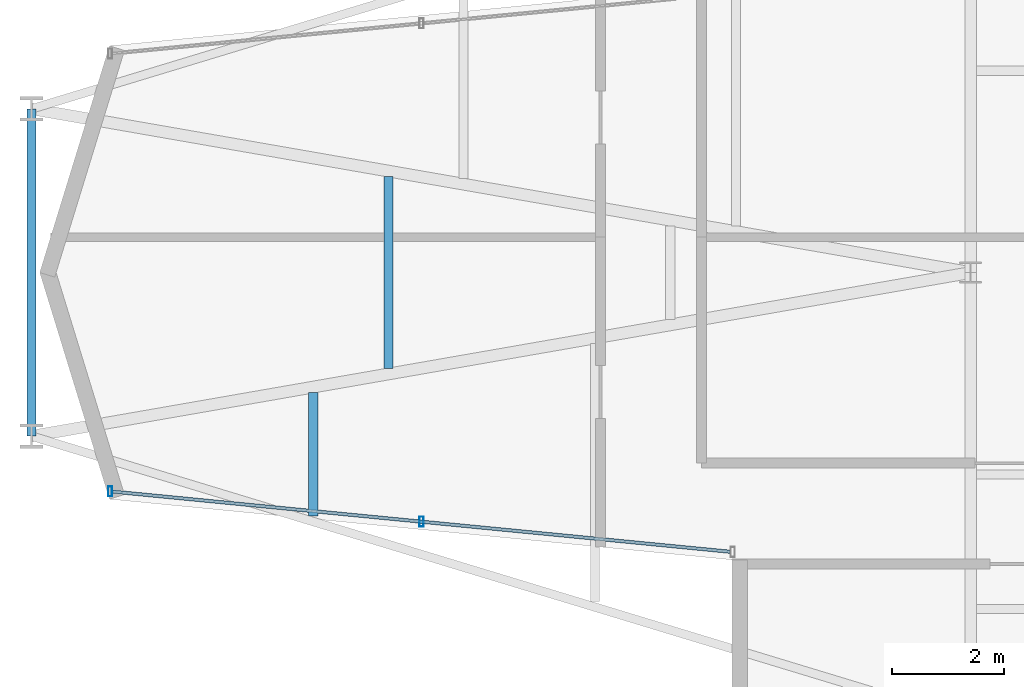
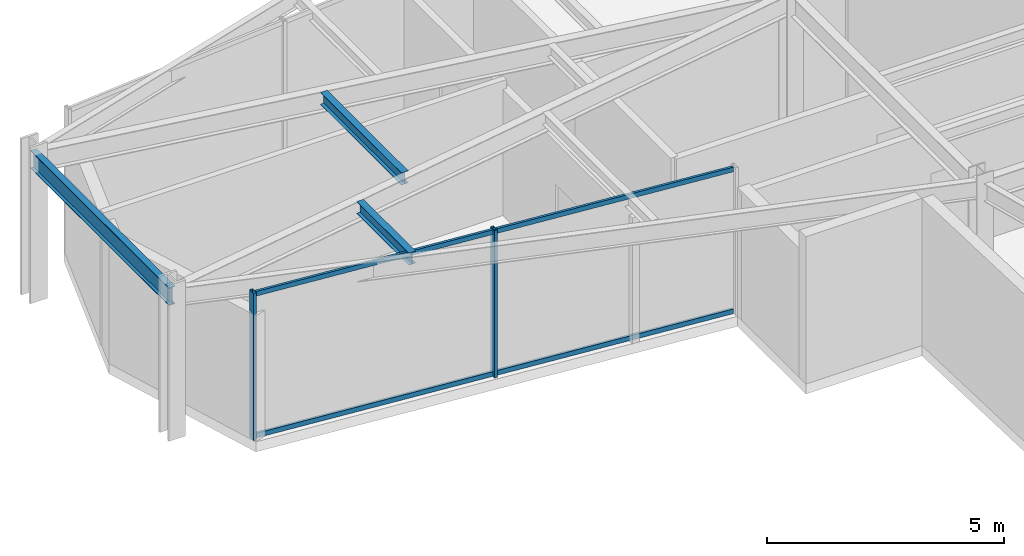
# One storey, part 2 of 21: 4 members, 3 beams, 1 element without a shape of its own.
"""IFC4 building model written with IfcOpenShell, lengths in metres."""

from ifc_helpers import new_model, si_unit, direction, frame, origin, origin_2d, place, context, subcontext, project, spatial, hollow_rectangle, i_section, extrude, material, layer, layer_set, material_profile, profile_set, type_object, element, aggregate, save


model = new_model("IFC4")

# Units and contexts
model_context = context("Model", 3, precision=1e-05, world=origin(), true_north=direction((0.0, 1.0)))
body_context = subcontext(model_context, "Body", "Model", "MODEL_VIEW")
ifc_project = project(units=[si_unit("LENGTHUNIT", "METRE"), si_unit("AREAUNIT", "SQUARE_METRE"), si_unit("VOLUMEUNIT", "CUBIC_METRE"), si_unit("PLANEANGLEUNIT", "RADIAN"), si_unit("MASSUNIT", "GRAM", prefix="KILO")], contexts=[model_context])

# Site, building, storey
site_placement = place(None, origin())
site = spatial("IfcSite", under=ifc_project, at=site_placement, CompositionType="ELEMENT")
building_placement = place(site_placement, origin())
building = spatial("IfcBuilding", under=site, at=building_placement, Name="Veymaron Broadcast Tower", CompositionType="ELEMENT")
storey_placement = place(building_placement, frame((0.0, 0.0, 244.5)))
storey = spatial("IfcBuildingStorey", under=building, at=storey_placement, Name="L57", CompositionType="ELEMENT", Elevation=244.5)

# Beams
ifc_material_1 = material(Name="Structural steel ASTM A992 Gr 50", Category="steel")
ifc_material_profile_1 = material_profile(ifc_material_1, i_section(OverallWidth=0.1650390625, OverallDepth=0.31005859375, WebThickness=0.005859375, FlangeThickness=0.009765625, at=origin_2d()), Name="W310X39")
ifc_profile_set_1 = profile_set([ifc_material_profile_1], Name="Structural steel ASTM A992 Gr 50")
beam_type_1 = type_object("IfcBeamType", Name="BM-JS3", PredefinedType="JOIST", material=ifc_profile_set_1)
beam_1_placement = place(storey_placement, frame((19.47607421875, 19.657470703125, 3.635009765625), z_axis=(0.0, 1.0, 0.0), x_axis=(-1.0, 0.0, 0.0)))
element("IfcBeam", 1, at=beam_1_placement, inside=storey, type_object=beam_type_1, Name="L57 Arm-A secondary joist 1S", PredefinedType="JOIST", context=body_context, shape_type="SweptSolid", body=[
    extrude(i_section(OverallWidth=0.1650390625, OverallDepth=0.31005859375, WebThickness=0.005859375, FlangeThickness=0.009765625, at=origin_2d()), origin(), (0.0, 0.0, 1.0), 2.199951171875),
])
beam_2_placement = place(storey_placement, frame((20.81591796875, 22.290771484375, 3.635009765625), z_axis=(0.0, 1.0, 0.0), x_axis=(-1.0, 0.0, 0.0)))
element("IfcBeam", 2, at=beam_2_placement, inside=storey, type_object=beam_type_1, Name="L57 Arm-A secondary joist 1M", PredefinedType="JOIST", context=body_context, shape_type="SweptSolid", body=[
    extrude(i_section(OverallWidth=0.1650390625, OverallDepth=0.31005859375, WebThickness=0.005859375, FlangeThickness=0.009765625, at=origin_2d()), origin(), (0.0, 0.0, 1.0), 3.41845703125),
])
ifc_material_profile_2 = material_profile(ifc_material_1, i_section(OverallWidth=0.154052734375, OverallDepth=0.458984375, WebThickness=0.009033203125, FlangeThickness=0.015380859375, at=origin_2d()), Name="W460X68")
ifc_profile_set_2 = profile_set([ifc_material_profile_2], Name="Structural steel ASTM A992 Gr 50")
beam_type_2 = type_object("IfcBeamType", Name="BM-SP2", PredefinedType="SPANDREL", material=ifc_profile_set_2)
beam_3_placement = place(storey_placement, frame((14.45166015625, 21.08203125, 3.560546875), z_axis=(0.0, 1.0, 0.0), x_axis=(-1.0, 0.0, 0.0)))
element("IfcBeam", 3, at=beam_3_placement, inside=storey, type_object=beam_type_2, Name="L57 primary structural floor girder", PredefinedType="SPANDREL", context=body_context, shape_type="SweptSolid", body=[
    extrude(i_section(OverallWidth=0.154052734375, OverallDepth=0.458984375, WebThickness=0.009033203125, FlangeThickness=0.015380859375, at=origin_2d()), origin(), (0.0, 0.0, 1.0), 5.8359375),
])

# Curtain wall, members
ifc_material_2 = material(Name="Anodised aluminium AA 6063-T6 and laminated low-E dark glass", Category="aluminium")
ifc_layer = layer(ifc_material_2, 0.179931640625)
ifc_layer_set = layer_set([ifc_layer], Name="Anodised aluminium AA 6063-T6 and laminated low-E dark glass")
curtain_wall_type = type_object("IfcCurtainWallType", Name="CW-SYS-05", PredefinedType="NOTDEFINED", material=ifc_layer_set)
curtain_wall_placement = place(storey_placement, origin())
curtain_wall = element("IfcCurtainWall", 4, at=curtain_wall_placement, inside=storey, type_object=curtain_wall_type, Name="L57 dark-glass curtain wall CW-L57-E14-1", PredefinedType="NOTDEFINED")
ifc_material_3 = material(Name="Anodised aluminium AA 6063-T6", Category="aluminium")
ifc_material_profile_3 = material_profile(ifc_material_3, hollow_rectangle(XDim=0.074951171875, YDim=0.179931640625, WallThickness=0.0048828125, at=origin_2d()), Name="AL180X75X5")
ifc_profile_set_3 = profile_set([ifc_material_profile_3], Name="Anodised aluminium AA 6063-T6")
member_type_1 = type_object("IfcMemberType", Name="CW-MUL-02", PredefinedType="MULLION", material=ifc_profile_set_3)
member_1_placement = place(storey_placement, frame((15.853515625, 20.097412109375, 0.0), z_axis=(0.0, 0.0, 1.0), x_axis=(1.0, 0.0, 0.0)))
member_1 = element("IfcMember", 5, at=member_1_placement, type_object=member_type_1, Name="CW-L57-E14-1 mullion 0", PredefinedType="MULLION", context=body_context, shape_type="SweptSolid", body=[
    extrude(hollow_rectangle(XDim=0.074951171875, YDim=0.179931640625, WallThickness=0.0048828125, at=origin_2d()), origin(), (0.0, 0.0, 1.0), 3.7900390625),
])
member_2_placement = place(storey_placement, frame((21.40478515625, 19.556396484375, 0.0), z_axis=(0.0, 0.0, 1.0), x_axis=(1.0, 0.0, 0.0)))
member_2 = element("IfcMember", 6, at=member_2_placement, type_object=member_type_1, Name="CW-L57-E14-1 mullion 1", PredefinedType="MULLION", context=body_context, shape_type="SweptSolid", body=[
    extrude(hollow_rectangle(XDim=0.074951171875, YDim=0.179931640625, WallThickness=0.0048828125, at=origin_2d()), origin(), (0.0, 0.0, 1.0), 3.7900390625),
])
ifc_material_profile_4 = material_profile(ifc_material_3, hollow_rectangle(XDim=0.06005859375, YDim=0.1201171875, WallThickness=0.00390625, at=origin_2d()), Name="AL120X60X4")
ifc_profile_set_4 = profile_set([ifc_material_profile_4], Name="Anodised aluminium AA 6063-T6")
member_type_2 = type_object("IfcMemberType", Name="CW-TRN-02", PredefinedType="USERDEFINED", material=ifc_profile_set_4)
member_3_placement = place(storey_placement, frame((15.9033203125, 20.092529296875, 0.070068359375), z_axis=(0.995287170753, -0.096971375849, 0.0), x_axis=(0.096971375849, 0.995287170753, 0.0)))
member_3 = element("IfcMember", 7, at=member_3_placement, type_object=member_type_2, Name="CW-L57-E14-1 transom B", ObjectType="TRANSOM", PredefinedType="USERDEFINED", context=body_context, shape_type="SweptSolid", body=[
    extrude(hollow_rectangle(XDim=0.06005859375, YDim=0.1201171875, WallThickness=0.00390625, at=origin_2d()), origin(), (0.0, 0.0, 1.0), 11.054931640625),
])
member_4_placement = place(storey_placement, frame((15.9033203125, 20.092529296875, 3.719970703125), z_axis=(0.995287170753, -0.096971375849, 0.0), x_axis=(0.096971375849, 0.995287170753, 0.0)))
member_4 = element("IfcMember", 8, at=member_4_placement, type_object=member_type_2, Name="CW-L57-E14-1 transom T", ObjectType="TRANSOM", PredefinedType="USERDEFINED", context=body_context, shape_type="SweptSolid", body=[
    extrude(hollow_rectangle(XDim=0.06005859375, YDim=0.1201171875, WallThickness=0.00390625, at=origin_2d()), origin(), (0.0, 0.0, 1.0), 11.054931640625),
])
aggregate(curtain_wall, [member_1, member_2, member_3, member_4])

save(model, "model.ifc")
